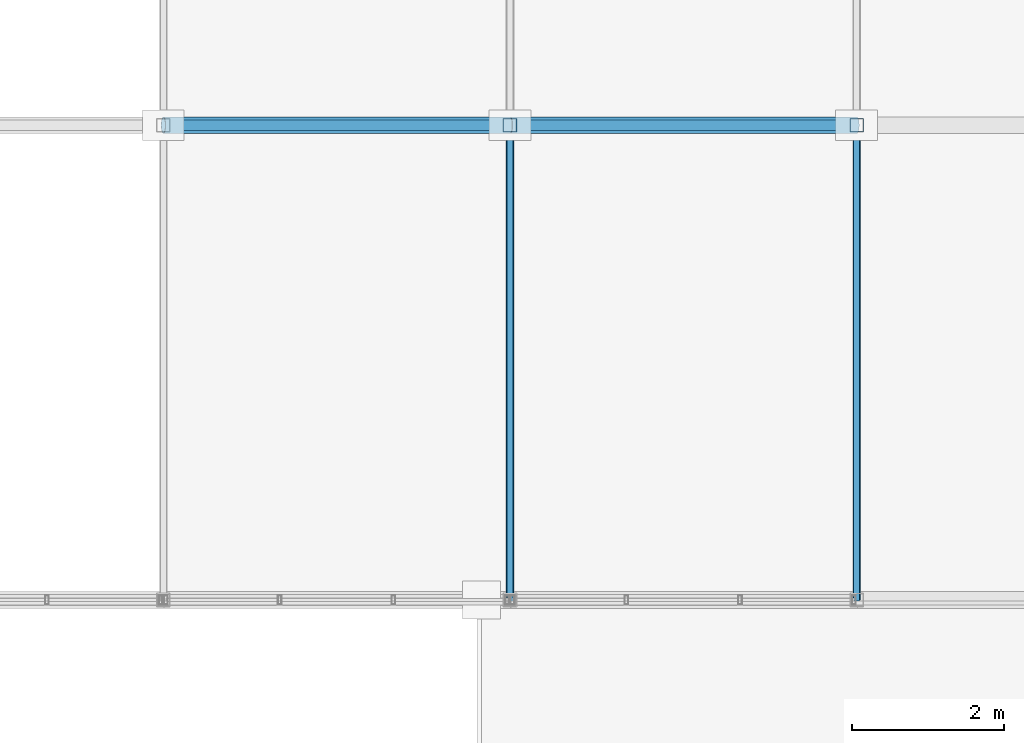
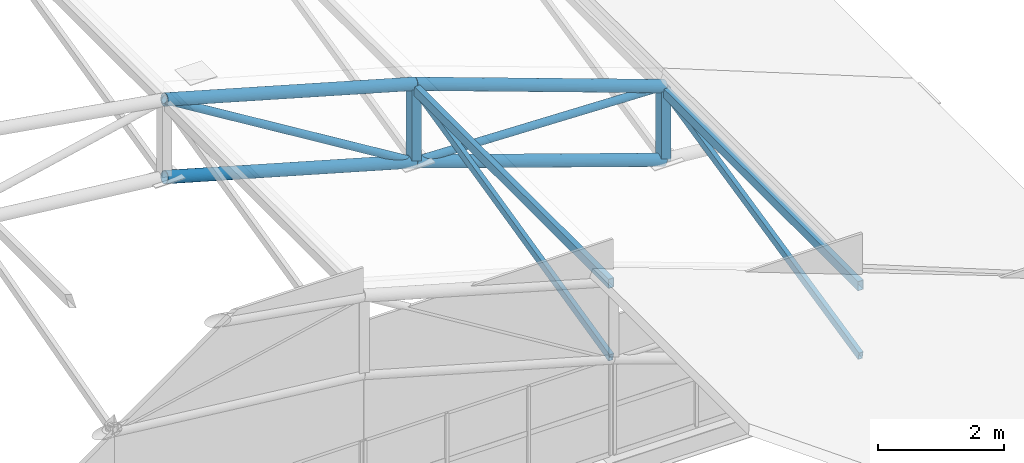
# One storey, part 67 of 101: 12 members.
"""IFC4 building model written with IfcOpenShell, lengths in metres."""

import ifcopenshell
import ifcopenshell.guid

model = None  # the IFC model being written
_history = None  # IfcOwnerHistory: only IFC2X3 demands one
_inside = {}  # id of a spatial element -> (the spatial element, [elements in it])
_under = {}  # id of a project, library or spatial element -> (it, [spatial elements below it])
_declared = {}  # id of a project -> (the project, [libraries it declares])
_typed = {}  # id of a type object -> (the type object, [elements of that type])
_made_of = {}  # id of a material, layer set ... -> (it, [elements and type objects made of it])


def new_model(schema):
    """Start an empty IFC model of exactly this schema.

    Asked for "IFC4X3", IfcOpenShell would pick the latest addendum, in which some entities
    have other attributes; the version numbers below select the first issue.
    IFC2X3 requires an IfcOwnerHistory on every rooted entity: one is made here for all.
    """
    global model, _history
    if schema == "IFC4X3":
        model = ifcopenshell.file(schema_version=(4, 3, 0, 0))
    else:
        model = ifcopenshell.file(schema=schema)
    _inside.clear()
    _under.clear()
    _declared.clear()
    _typed.clear()
    _made_of.clear()
    _history = None
    if model.schema == "IFC2X3":
        org = make("IfcOrganization", Name="unknown")
        user = make(
            "IfcPersonAndOrganization",
            ThePerson=make("IfcPerson", FamilyName="unknown"),
            TheOrganization=org,
        )
        app = make(
            "IfcApplication",
            ApplicationDeveloper=org,
            Version="unknown",
            ApplicationFullName="unknown",
            ApplicationIdentifier="unknown",
        )
        _history = make(
            "IfcOwnerHistory",
            OwningUser=user,
            OwningApplication=app,
            ChangeAction="ADDED",
            CreationDate=0,
        )
    return model


def make(cls, **values):
    """One entity of the class cls with the attributes given. An attribute that is None is left unset."""
    return model.create_entity(
        cls, **{name: value for name, value in values.items() if value is not None}
    )


def rooted(cls, **values):
    """An entity with a GlobalId (a new one), such as an element, a storey or a relation."""
    return make(cls, GlobalId=ifcopenshell.guid.new(), OwnerHistory=_history, **values)


def si_unit(unit_type, name, prefix=None):
    """IfcSIUnit, for example si_unit("LENGTHUNIT", "METRE", prefix="MILLI")."""
    return make("IfcSIUnit", UnitType=unit_type, Prefix=prefix, Name=name)


def assignment(units):
    """IfcUnitAssignment: the units of a project."""
    return None if units is None else make("IfcUnitAssignment", Units=units)


def point(xyz):
    """IfcCartesianPoint."""
    return None if xyz is None else make("IfcCartesianPoint", Coordinates=xyz)


def direction(xyz):
    """IfcDirection."""
    return None if xyz is None else make("IfcDirection", DirectionRatios=xyz)


def frame(location, z_axis=None, x_axis=None):
    """IfcAxis2Placement3D, a coordinate frame: its origin and axes. An axis left out is left unset."""
    return make(
        "IfcAxis2Placement3D",
        Location=point(location),
        Axis=direction(z_axis),
        RefDirection=direction(x_axis),
    )


def frame_2d(location, x_axis=None):
    """IfcAxis2Placement2D, a coordinate frame in the plane: its origin and x axis."""
    return make(
        "IfcAxis2Placement2D", Location=point(location), RefDirection=direction(x_axis)
    )


def origin():
    """The frame at (0, 0, 0) with its axes left unset."""
    return frame((0.0, 0.0, 0.0))


def origin_2d():
    """The frame at (0, 0) in the plane with its x axis left unset."""
    return frame_2d((0.0, 0.0))


def place(relative_to, where):
    """IfcLocalPlacement: puts the frame where relative to a parent placement (None: the world)."""
    return make(
        "IfcLocalPlacement", PlacementRelTo=relative_to, RelativePlacement=where
    )


def context(
    kind, dimensions, precision=None, world=None, true_north=None, identifier=None
):
    """IfcGeometricRepresentationContext, for example the 3D "Model" context."""
    return make(
        "IfcGeometricRepresentationContext",
        ContextIdentifier=identifier,
        ContextType=kind,
        CoordinateSpaceDimension=dimensions,
        Precision=precision,
        WorldCoordinateSystem=world,
        TrueNorth=true_north,
    )


def subcontext(parent, identifier, kind, view, scale=None):
    """IfcGeometricRepresentationSubContext, for example "Body" below "Model"."""
    return make(
        "IfcGeometricRepresentationSubContext",
        ContextIdentifier=identifier,
        ContextType=kind,
        ParentContext=parent,
        TargetScale=scale,
        TargetView=view,
    )


def project(units=None, contexts=None):
    """IfcProject with its units and contexts."""
    return rooted(
        "IfcProject",
        Name="project",
        RepresentationContexts=contexts,
        UnitsInContext=assignment(units),
    )


def spatial(cls, under=None, at=None, **own):
    """A site, building, storey or space (cls), placed at a placement, below another one or the project."""
    s = rooted(cls, ObjectPlacement=at, **own)
    if under is not None:
        _under.setdefault(under.id(), (under, []))[1].append(s)
    return s


def profile(cls, at=None, kind="AREA", **sizes):
    """A parametric profile (cls). Its sizes go by their IFC names, for example OverallWidth=200.0."""
    return make(cls, ProfileType=kind, Position=at, **sizes)


def hollow_rectangle(**sizes):
    """IfcRectangleHollowProfileDef."""
    return profile("IfcRectangleHollowProfileDef", **sizes)


def hollow_circle(**sizes):
    """IfcCircleHollowProfileDef."""
    return profile("IfcCircleHollowProfileDef", **sizes)


def extrude(swept, where, along, depth):
    """IfcExtrudedAreaSolid: the profile swept, set in the frame where, extruded along a direction by depth."""
    return make(
        "IfcExtrudedAreaSolid",
        SweptArea=swept,
        Position=where,
        ExtrudedDirection=direction(along),
        Depth=depth,
    )


def shape(context_of_items, identifier, shape_type, items):
    """IfcShapeRepresentation: the items that make up one representation, for example the "Body"."""
    return make(
        "IfcShapeRepresentation",
        ContextOfItems=context_of_items,
        RepresentationIdentifier=identifier,
        RepresentationType=shape_type,
        Items=items,
    )


def material(Name=None, Category=None):
    """IfcMaterial."""
    return make("IfcMaterial", Name=Name, Category=Category)


def material_profile(
    of_material, cross_section, Name=None, Category=None, Priority=None
):
    """IfcMaterialProfile: a cross section and its material."""
    return make(
        "IfcMaterialProfile",
        Name=Name,
        Material=of_material,
        Profile=cross_section,
        Priority=Priority,
        Category=Category,
    )


def profile_set(profiles, Name=None, composite=None):
    """IfcMaterialProfileSet."""
    return make(
        "IfcMaterialProfileSet",
        Name=Name,
        MaterialProfiles=profiles,
        CompositeProfile=composite,
    )


def made_of(thing, what):
    """Note that an element or type object is made of a material, layer set ...; save() writes the relation."""
    if what is not None:
        _made_of.setdefault(what.id(), (what, []))[1].append(thing)
    return thing


def type_object(cls, material=None, **own):
    """A type object (cls), such as IfcWallType, which elements share."""
    return made_of(rooted(cls, **own), material)


def element(
    cls,
    number,
    at=None,
    inside=None,
    cuts=None,
    type_object=None,
    material=None,
    context=None,
    identifier="Body",
    shape_type=None,
    held_by="IfcProductDefinitionShape",
    body=None,
    shapes=None,
    **own,
):
    """One element of the class cls, such as IfcWall. Its Tag is "e" and its number.

    at: its placement. inside: the storey or other place that contains it. cuts: it is an
    opening in that element (IfcRelVoidsElement). A single representation is given by context,
    identifier, shape_type and body (its items); several are given by shapes. held_by: the class
    of the entity that holds the representations. save() writes the other relations.
    """
    e = rooted(cls, Tag="e%d" % number, ObjectPlacement=at, **own)
    if body is not None:
        shapes = [shape(context, identifier, shape_type, body)]
    if shapes is not None:
        e.Representation = make(held_by, Representations=shapes)
    if inside is not None:
        _inside.setdefault(inside.id(), (inside, []))[1].append(e)
    if cuts is not None:
        rooted(
            "IfcRelVoidsElement", RelatingBuildingElement=cuts, RelatedOpeningElement=e
        )
    if type_object is not None:
        _typed.setdefault(type_object.id(), (type_object, []))[1].append(e)
    return made_of(e, material)


def aggregate(whole, parts):
    """IfcRelAggregates: a whole, such as a stair, and the parts it consists of."""
    return rooted("IfcRelAggregates", RelatingObject=whole, RelatedObjects=parts)


def save(model, path):
    """Write the relations noted so far, then the file.

    IfcRelAggregates (storeys below a building ...), IfcRelContainedInSpatialStructure (elements
    in a storey), IfcRelDefinesByType, IfcRelAssociatesMaterial and IfcRelDeclares: one each for
    every whole, place, type object, material and project.
    """
    for whole, parts in _under.values():
        aggregate(whole, parts)
    for where, things in _inside.values():
        rooted(
            "IfcRelContainedInSpatialStructure",
            RelatedElements=things,
            RelatingStructure=where,
        )
    for kind, things in _typed.values():
        rooted("IfcRelDefinesByType", RelatedObjects=things, RelatingType=kind)
    for what, things in _made_of.values():
        rooted("IfcRelAssociatesMaterial", RelatedObjects=things, RelatingMaterial=what)
    for by, libraries in _declared.values():
        rooted("IfcRelDeclares", RelatingContext=by, RelatedDefinitions=libraries)
    model.write(path)


model = new_model("IFC4")

# Units and contexts
model_context = context("Model", 3, precision=1e-05, world=origin(), true_north=direction((0.0, 1.0)))
body_context = subcontext(model_context, "Body", "Model", "MODEL_VIEW")
ifc_project = project(units=[si_unit("LENGTHUNIT", "METRE"), si_unit("AREAUNIT", "SQUARE_METRE"), si_unit("VOLUMEUNIT", "CUBIC_METRE"), si_unit("PLANEANGLEUNIT", "RADIAN"), si_unit("MASSUNIT", "GRAM", prefix="KILO")], contexts=[model_context])

# Site, building, storey
site_placement = place(None, origin())
site = spatial("IfcSite", under=ifc_project, at=site_placement, CompositionType="ELEMENT")
building_placement = place(site_placement, origin())
building = spatial("IfcBuilding", under=site, at=building_placement, Name="Solvikara Media Centre", CompositionType="ELEMENT")
storey_placement = place(building_placement, frame((0.0, 0.0, 10.199951171875)))
storey = spatial("IfcBuildingStorey", under=building, at=storey_placement, Name="L02", CompositionType="ELEMENT", Elevation=10.199951171875)

# Members
ifc_material = material(Name="Steel S355JR", Category="steel")
ifc_material_profile_1 = material_profile(ifc_material, hollow_circle(Radius=0.109619140625, WallThickness=0.008056640625, at=origin_2d()), Name="CHS 219.1x8")
ifc_profile_set_1 = profile_set([ifc_material_profile_1], Name="Steel S355JR")
member_type_1 = type_object("IfcMemberType", Name="MB-05", PredefinedType="CHORD", material=ifc_profile_set_1)
for number, where, z_axis, x_axis, name in (
    (1, (150.31201171875, 95.25, 4.658935546875), (0.962119975268, 0.0, -0.272626398556), (0.0, 1.0, 0.0), "BSB-TC-01-05"),
    (2, (150.31201171875, 95.25, 3.158935546875), (0.962119975268, 0.0, -0.272626398556), (0.0, 1.0, 0.0), "BSB-BC-01-05"),
):
    element("IfcMember", number, at=place(storey_placement, frame(where, z_axis=z_axis, x_axis=x_axis)), inside=storey, type_object=member_type_1, Name=name, PredefinedType="CHORD", context=body_context, shape_type="SweptSolid", body=[
        extrude(hollow_circle(Radius=0.109619140625, WallThickness=0.008056640625, at=origin_2d()), origin(), (0.0, 0.0, 1.0), 4.74267578125),
    ])
member_1_placement = place(storey_placement, frame((154.875, 95.25, 3.365966796875), z_axis=(0.940941951614, 0.0, -0.338567930691), x_axis=(0.0, 1.0, 0.0)))
element("IfcMember", 3, at=member_1_placement, inside=storey, type_object=member_type_1, Name="BSB-TC-01-06", PredefinedType="CHORD", context=body_context, shape_type="SweptSolid", body=[
    extrude(hollow_circle(Radius=0.109619140625, WallThickness=0.008056640625, at=origin_2d()), origin(), (0.0, 0.0, 1.0), 4.849365234375),
])
member_2_placement = place(storey_placement, frame((154.875, 95.25, 1.865966796875), z_axis=(0.94585275082, 0.0, -0.324596016252), x_axis=(0.0, 1.0, 0.0)))
element("IfcMember", 4, at=member_2_placement, inside=storey, type_object=member_type_1, Name="BSB-BC-01-06", PredefinedType="CHORD", context=body_context, shape_type="SweptSolid", body=[
    extrude(hollow_circle(Radius=0.109619140625, WallThickness=0.008056640625, at=origin_2d()), origin(), (0.0, 0.0, 1.0), 4.82421875),
])
ifc_material_profile_2 = material_profile(ifc_material, hollow_circle(Radius=0.06982421875, WallThickness=0.00634765625, at=origin_2d()), Name="CHS 139.7x6.3")
ifc_profile_set_2 = profile_set([ifc_material_profile_2], Name="Steel S355JR")
member_type_2 = type_object("IfcMemberType", Name="MB-08", PredefinedType="BRACE", material=ifc_profile_set_2)
member_3_placement = place(storey_placement, frame((150.31201171875, 95.25, 4.658935546875), z_axis=(0.852909361519, 0.0, -0.522059020641), x_axis=(0.0, 1.0, 0.0)))
element("IfcMember", 5, at=member_3_placement, inside=storey, type_object=member_type_2, Name="BSB-DG-01-05", PredefinedType="BRACE", context=body_context, shape_type="SweptSolid", body=[
    extrude(hollow_circle(Radius=0.06982421875, WallThickness=0.00634765625, at=origin_2d()), origin(), (0.0, 0.0, 1.0), 5.349853515625),
])
member_4_placement = place(storey_placement, frame((154.875, 95.25, 1.865966796875), z_axis=(0.999517175782, 0.0, -0.03107113318), x_axis=(0.0, 1.0, 0.0)))
element("IfcMember", 6, at=member_4_placement, inside=storey, type_object=member_type_2, Name="BSB-DG-01-06", PredefinedType="BRACE", context=body_context, shape_type="SweptSolid", body=[
    extrude(hollow_circle(Radius=0.06982421875, WallThickness=0.00634765625, at=origin_2d()), origin(), (0.0, 0.0, 1.0), 4.565185546875),
])
ifc_material_profile_3 = material_profile(ifc_material, hollow_rectangle(XDim=0.179931640625, YDim=0.179931640625, WallThickness=0.008056640625, at=origin_2d()), Name="RHS 180x180x8")
ifc_profile_set_3 = profile_set([ifc_material_profile_3], Name="Steel S355JR")
member_type_3 = type_object("IfcMemberType", Name="MB-14", PredefinedType="BRACE", material=ifc_profile_set_3)
member_5_placement = place(storey_placement, frame((154.875, 95.25, 1.865966796875), z_axis=(0.0, 0.0, 1.0), x_axis=(1.0, 0.0, 0.0)))
element("IfcMember", 7, at=member_5_placement, inside=storey, type_object=member_type_3, Name="BSB-VT-01-06", PredefinedType="BRACE", context=body_context, shape_type="SweptSolid", body=[
    extrude(hollow_rectangle(XDim=0.179931640625, YDim=0.179931640625, WallThickness=0.008056640625, at=origin_2d()), origin(), (0.0, 0.0, 1.0), 1.5),
])
member_6_placement = place(storey_placement, frame((159.43798828125, 95.25, 0.300048828125), z_axis=(0.0, 0.0, 1.0), x_axis=(1.0, 0.0, 0.0)))
element("IfcMember", 8, at=member_6_placement, inside=storey, type_object=member_type_3, Name="BSB-VT-01-07", PredefinedType="BRACE", context=body_context, shape_type="SweptSolid", body=[
    extrude(hollow_rectangle(XDim=0.179931640625, YDim=0.179931640625, WallThickness=0.008056640625, at=origin_2d()), origin(), (0.0, 0.0, 1.0), 1.424072265625),
])
ifc_material_profile_4 = material_profile(ifc_material, hollow_rectangle(XDim=0.10009765625, YDim=0.179931640625, WallThickness=0.0048828125, at=origin_2d()), Name="RHS 180x100x5")
ifc_profile_set_4 = profile_set([ifc_material_profile_4], Name="Steel S355JR")
member_type_4 = type_object("IfcMemberType", Name="MB-18", PredefinedType="PURLIN", material=ifc_profile_set_4)
for number, where, z_axis, x_axis, name in (
    (9, (154.875, 89.0, 3.301025390625), (0.0, 1.0, 0.0), (-1.0, 0.0, 0.0), "BSB-PRL-00-06"),
    (10, (159.43798828125, 89.0, 1.658935546875), (0.0, 1.0, 0.0), (-1.0, 0.0, 0.0), "BSB-PRL-00-07"),
):
    element("IfcMember", number, at=place(storey_placement, frame(where, z_axis=z_axis, x_axis=x_axis)), inside=storey, type_object=member_type_4, Name=name, PredefinedType="PURLIN", context=body_context, shape_type="SweptSolid", body=[
        extrude(hollow_rectangle(XDim=0.10009765625, YDim=0.179931640625, WallThickness=0.0048828125, at=origin_2d()), origin(), (0.0, 0.0, 1.0), 6.25),
    ])
ifc_material_profile_5 = material_profile(ifc_material, hollow_rectangle(XDim=0.080078125, YDim=0.14990234375, WallThickness=0.0048828125, at=origin_2d()), Name="RHS 150x80x5")
ifc_profile_set_5 = profile_set([ifc_material_profile_5], Name="Steel S355JR")
member_type_5 = type_object("IfcMemberType", Name="MB-27", PredefinedType="PURLIN", material=ifc_profile_set_5)
member_7_placement = place(storey_placement, frame((154.875, 89.0, 1.865966796875), z_axis=(0.0, 0.973607860399, 0.228227373838), x_axis=(-1.0, 0.0, 0.0)))
element("IfcMember", 11, at=member_7_placement, inside=storey, type_object=member_type_5, Name="BSB-3D-00-06", PredefinedType="PURLIN", context=body_context, shape_type="SweptSolid", body=[
    extrude(hollow_rectangle(XDim=0.080078125, YDim=0.14990234375, WallThickness=0.0048828125, at=origin_2d()), origin(), (0.0, 0.0, 1.0), 6.41943359375),
])
member_8_placement = place(storey_placement, frame((159.43798828125, 89.0, 0.300048828125), z_axis=(0.0, 0.976186162946, 0.216934495351), x_axis=(-1.0, 0.0, 0.0)))
element("IfcMember", 12, at=member_8_placement, inside=storey, type_object=member_type_5, Name="BSB-3D-00-07", PredefinedType="PURLIN", context=body_context, shape_type="SweptSolid", body=[
    extrude(hollow_rectangle(XDim=0.080078125, YDim=0.14990234375, WallThickness=0.0048828125, at=origin_2d()), origin(), (0.0, 0.0, 1.0), 6.402587890625),
])

save(model, "model.ifc")
